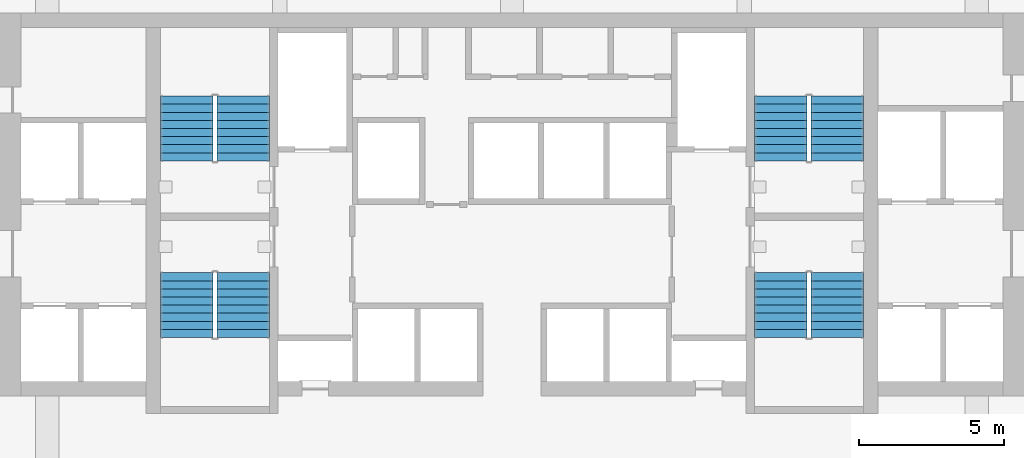
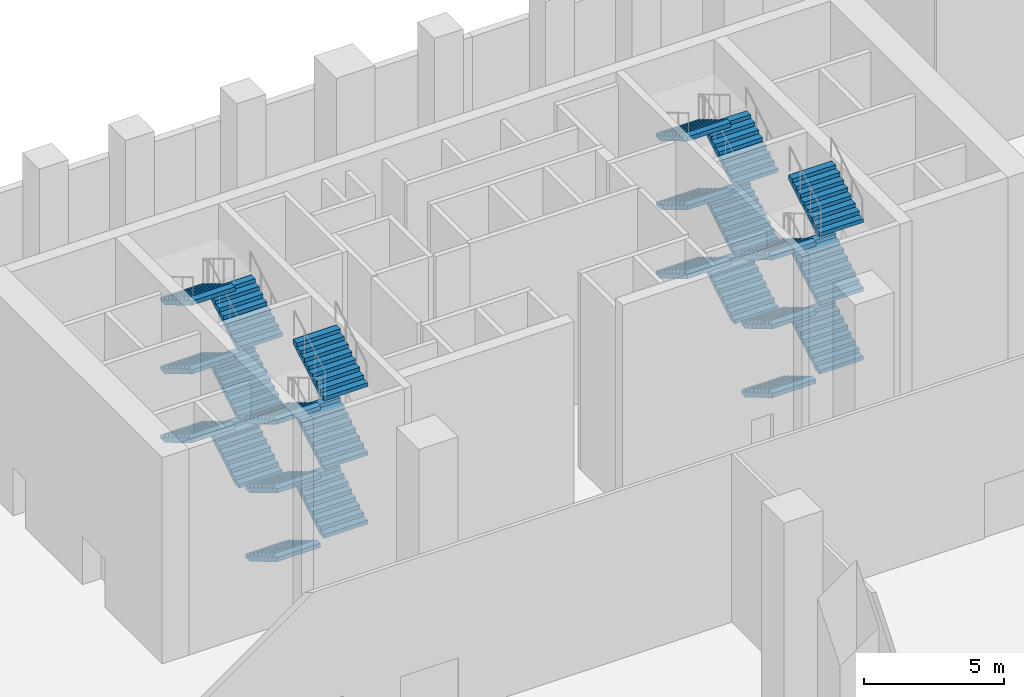
# One storey, part 14 of 25: 24 stair flights, 4 elements without a shape of their own.
"""IFC4 building model written with IfcOpenShell, lengths in metres."""

from ifc_helpers import new_model, si_unit, direction, frame, origin, place, context, subcontext, project, spatial, faceted_brep, source, transform, mapped, material, type_object, element, aggregate, save


model = new_model("IFC4")

# Units and contexts
model_context = context("Model", 3, precision=1e-05, world=origin(), true_north=direction((0.0, 1.0)))
body_context = subcontext(model_context, "Body", "Model", "MODEL_VIEW")
ifc_project = project(units=[si_unit("LENGTHUNIT", "METRE"), si_unit("AREAUNIT", "SQUARE_METRE"), si_unit("VOLUMEUNIT", "CUBIC_METRE"), si_unit("PLANEANGLEUNIT", "RADIAN"), si_unit("MASSUNIT", "GRAM", prefix="KILO")], contexts=[model_context])

# Site, building, storey
site_placement = place(None, origin())
site = spatial("IfcSite", under=ifc_project, at=site_placement, CompositionType="ELEMENT")
building_placement = place(site_placement, origin())
building = spatial("IfcBuilding", under=site, at=building_placement, Name="Calabash Gate Tower", CompositionType="ELEMENT")
storey_placement = place(building_placement, frame((0.0, 0.0, 20.0)))
storey = spatial("IfcBuildingStorey", under=building, at=storey_placement, Name="L02", CompositionType="ELEMENT", Elevation=20.0)

# Stair, stair flights
ifc_material_1 = material(Name="Concrete C40/50", Category="concrete")
stair_type = type_object("IfcStairType", Name="Exit stair 54 risers of 166.7 mm", PredefinedType="HALF_TURN_STAIR", material=ifc_material_1)
stair_1_placement = place(storey_placement, origin())
stair_1 = element("IfcStair", 1, at=stair_1_placement, inside=storey, type_object=stair_type, Name="L02 Exit stair ST1", PredefinedType="HALF_TURN_STAIR")
ifc_material_2 = material(Name="Concrete C40/50", Category="concrete")
stair_flight_type = type_object("IfcStairFlightType", Name="Exit stair flight SFL", PredefinedType="STRAIGHT", material=ifc_material_2)
shared_shape = source(origin(), body_context, "Body", "Brep", [
    faceted_brep([(-0.0009765625, -0.89990234375, 0.0), (0.292236328125, -0.89990234375, 0.0), (2.23291015625, -0.89990234375, 1.15869140625), (-0.0009765625, 0.89990234375, 0.0), (2.23291015625, 0.89990234375, 1.15869140625), (0.292236328125, 0.89990234375, 0.0), (2.23291015625, -0.89990234375, 1.34521484375), (2.23193359375, -0.89990234375, 1.34521484375), (2.23193359375, 0.89990234375, 1.34521484375), (2.23291015625, 0.89990234375, 1.34521484375), (2.23193359375, -0.89990234375, 1.333251953125), (2.23193359375, 0.89990234375, 1.333251953125), (1.952880859375, -0.89990234375, 1.333251953125), (1.952880859375, 0.89990234375, 1.333251953125), (1.952880859375, -0.89990234375, 1.166748046875), (1.952880859375, 0.89990234375, 1.166748046875), (1.674072265625, -0.89990234375, 1.166748046875), (1.674072265625, 0.89990234375, 1.166748046875), (1.674072265625, -0.89990234375, 1.0), (1.674072265625, 0.89990234375, 1.0), (1.39501953125, -0.89990234375, 1.0), (1.39501953125, -0.89990234375, 0.833251953125), (1.39501953125, 0.89990234375, 0.833251953125), (1.39501953125, 0.89990234375, 1.0), (1.115966796875, -0.89990234375, 0.833251953125), (1.115966796875, -0.89990234375, 0.666748046875), (1.115966796875, 0.89990234375, 0.666748046875), (1.115966796875, 0.89990234375, 0.833251953125), (0.8369140625, -0.89990234375, 0.666748046875), (0.8369140625, -0.89990234375, 0.5), (0.8369140625, 0.89990234375, 0.5), (0.8369140625, 0.89990234375, 0.666748046875), (0.55810546875, -0.89990234375, 0.5), (0.55810546875, -0.89990234375, 0.333251953125), (0.55810546875, 0.89990234375, 0.333251953125), (0.55810546875, 0.89990234375, 0.5), (0.279052734375, -0.89990234375, 0.333251953125), (0.279052734375, -0.89990234375, 0.166748046875), (0.279052734375, 0.89990234375, 0.166748046875), (0.279052734375, 0.89990234375, 0.333251953125), (-0.0009765625, -0.89990234375, 0.166748046875), (-0.0009765625, 0.89990234375, 0.166748046875), (0.292236328125, -0.360107421875, 0.0), (2.23291015625, -0.360107421875, 1.15869140625), (0.292236328125, -0.239990234375, 0.0), (2.23291015625, -0.239990234375, 1.15869140625), (0.292236328125, -0.1201171875, 0.0), (2.23291015625, -0.1201171875, 1.15869140625), (0.292236328125, 0.0, 0.0), (2.23291015625, 0.0, 1.15869140625), (0.292236328125, 0.1201171875, 0.0), (2.23291015625, 0.1201171875, 1.15869140625), (0.292236328125, 0.239990234375, 0.0), (2.23291015625, 0.239990234375, 1.15869140625), (0.292236328125, 0.360107421875, 0.0), (2.23291015625, 0.360107421875, 1.15869140625), (2.23291015625, -0.360107421875, 1.34521484375), (2.23291015625, -0.239990234375, 1.34521484375), (2.23291015625, -0.1201171875, 1.34521484375), (2.23291015625, 0.0, 1.34521484375), (2.23291015625, 0.1201171875, 1.34521484375), (2.23291015625, 0.239990234375, 1.34521484375), (2.23291015625, 0.360107421875, 1.34521484375), (2.23193359375, -0.360107421875, 1.34521484375), (2.23193359375, -0.239990234375, 1.34521484375), (2.23193359375, -0.1201171875, 1.34521484375), (2.23193359375, 0.0, 1.34521484375), (2.23193359375, 0.1201171875, 1.34521484375), (2.23193359375, 0.239990234375, 1.34521484375), (2.23193359375, 0.360107421875, 1.34521484375), (2.23193359375, -0.360107421875, 1.333251953125), (2.23193359375, -0.239990234375, 1.333251953125), (2.23193359375, -0.1201171875, 1.333251953125), (2.23193359375, 0.0, 1.333251953125), (2.23193359375, 0.1201171875, 1.333251953125), (2.23193359375, 0.239990234375, 1.333251953125), (2.23193359375, 0.360107421875, 1.333251953125), (1.952880859375, -0.360107421875, 1.333251953125), (1.952880859375, -0.239990234375, 1.333251953125), (1.952880859375, -0.1201171875, 1.333251953125), (1.952880859375, 0.0, 1.333251953125), (1.952880859375, 0.1201171875, 1.333251953125), (1.952880859375, 0.239990234375, 1.333251953125), (1.952880859375, 0.360107421875, 1.333251953125), (1.952880859375, -0.360107421875, 1.166748046875), (1.952880859375, -0.239990234375, 1.166748046875), (1.952880859375, -0.1201171875, 1.166748046875), (1.952880859375, 0.0, 1.166748046875), (1.952880859375, 0.1201171875, 1.166748046875), (1.952880859375, 0.239990234375, 1.166748046875), (1.952880859375, 0.360107421875, 1.166748046875), (1.674072265625, -0.360107421875, 1.166748046875), (1.674072265625, -0.239990234375, 1.166748046875), (1.674072265625, -0.1201171875, 1.166748046875), (1.674072265625, 0.0, 1.166748046875), (1.674072265625, 0.1201171875, 1.166748046875), (1.674072265625, 0.239990234375, 1.166748046875), (1.674072265625, 0.360107421875, 1.166748046875), (1.674072265625, -0.360107421875, 1.0), (1.674072265625, -0.239990234375, 1.0), (1.674072265625, -0.1201171875, 1.0), (1.674072265625, 0.0, 1.0), (1.674072265625, 0.1201171875, 1.0), (1.674072265625, 0.239990234375, 1.0), (1.674072265625, 0.360107421875, 1.0), (1.39501953125, -0.360107421875, 1.0), (1.39501953125, -0.239990234375, 1.0), (1.39501953125, -0.1201171875, 1.0), (1.39501953125, 0.0, 1.0), (1.39501953125, 0.1201171875, 1.0), (1.39501953125, 0.239990234375, 1.0), (1.39501953125, 0.360107421875, 1.0), (1.39501953125, -0.360107421875, 0.833251953125), (1.39501953125, -0.239990234375, 0.833251953125), (1.39501953125, -0.1201171875, 0.833251953125), (1.39501953125, 0.0, 0.833251953125), (1.39501953125, 0.1201171875, 0.833251953125), (1.39501953125, 0.239990234375, 0.833251953125), (1.39501953125, 0.360107421875, 0.833251953125), (1.115966796875, -0.360107421875, 0.833251953125), (1.115966796875, -0.239990234375, 0.833251953125), (1.115966796875, -0.1201171875, 0.833251953125), (1.115966796875, 0.0, 0.833251953125), (1.115966796875, 0.1201171875, 0.833251953125), (1.115966796875, 0.239990234375, 0.833251953125), (1.115966796875, 0.360107421875, 0.833251953125), (1.115966796875, -0.360107421875, 0.666748046875), (1.115966796875, -0.239990234375, 0.666748046875), (1.115966796875, -0.1201171875, 0.666748046875), (1.115966796875, 0.0, 0.666748046875), (1.115966796875, 0.1201171875, 0.666748046875), (1.115966796875, 0.239990234375, 0.666748046875), (1.115966796875, 0.360107421875, 0.666748046875), (0.8369140625, -0.360107421875, 0.666748046875), (0.8369140625, -0.239990234375, 0.666748046875), (0.8369140625, -0.1201171875, 0.666748046875), (0.8369140625, 0.0, 0.666748046875), (0.8369140625, 0.1201171875, 0.666748046875), (0.8369140625, 0.239990234375, 0.666748046875), (0.8369140625, 0.360107421875, 0.666748046875), (0.8369140625, -0.360107421875, 0.5), (0.8369140625, -0.239990234375, 0.5), (0.8369140625, -0.1201171875, 0.5), (0.8369140625, 0.0, 0.5), (0.8369140625, 0.1201171875, 0.5), (0.8369140625, 0.239990234375, 0.5), (0.8369140625, 0.360107421875, 0.5), (0.55810546875, -0.360107421875, 0.5), (0.55810546875, -0.239990234375, 0.5), (0.55810546875, -0.1201171875, 0.5), (0.55810546875, 0.0, 0.5), (0.55810546875, 0.1201171875, 0.5), (0.55810546875, 0.239990234375, 0.5), (0.55810546875, 0.360107421875, 0.5), (0.55810546875, -0.360107421875, 0.333251953125), (0.55810546875, -0.239990234375, 0.333251953125), (0.55810546875, -0.1201171875, 0.333251953125), (0.55810546875, 0.0, 0.333251953125), (0.55810546875, 0.1201171875, 0.333251953125), (0.55810546875, 0.239990234375, 0.333251953125), (0.55810546875, 0.360107421875, 0.333251953125), (0.279052734375, -0.360107421875, 0.333251953125), (0.279052734375, -0.239990234375, 0.333251953125), (0.279052734375, -0.1201171875, 0.333251953125), (0.279052734375, 0.0, 0.333251953125), (0.279052734375, 0.1201171875, 0.333251953125), (0.279052734375, 0.239990234375, 0.333251953125), (0.279052734375, 0.360107421875, 0.333251953125), (0.279052734375, -0.360107421875, 0.166748046875), (0.279052734375, -0.239990234375, 0.166748046875), (0.279052734375, -0.1201171875, 0.166748046875), (0.279052734375, 0.0, 0.166748046875), (0.279052734375, 0.1201171875, 0.166748046875), (0.279052734375, 0.239990234375, 0.166748046875), (0.279052734375, 0.360107421875, 0.166748046875), (-0.0009765625, -0.360107421875, 0.166748046875), (-0.0009765625, -0.239990234375, 0.166748046875), (-0.0009765625, -0.1201171875, 0.166748046875), (-0.0009765625, 0.0, 0.166748046875), (-0.0009765625, 0.1201171875, 0.166748046875), (-0.0009765625, 0.239990234375, 0.166748046875), (-0.0009765625, 0.360107421875, 0.166748046875), (-0.0009765625, -0.360107421875, 0.0), (-0.0009765625, -0.239990234375, 0.0), (-0.0009765625, -0.1201171875, 0.0), (-0.0009765625, 0.0, 0.0), (-0.0009765625, 0.1201171875, 0.0), (-0.0009765625, 0.239990234375, 0.0), (-0.0009765625, 0.360107421875, 0.0)], [[[0, 1, 2]], [[3, 4, 5]], [[2, 6, 7]], [[4, 8, 9]], [[2, 7, 10]], [[4, 11, 8]], [[2, 10, 12]], [[4, 13, 11]], [[2, 12, 14]], [[4, 15, 13]], [[2, 14, 16]], [[4, 17, 15]], [[2, 16, 18]], [[4, 19, 17]], [[18, 20, 21]], [[19, 22, 23]], [[2, 18, 21]], [[4, 22, 19]], [[21, 24, 25]], [[22, 26, 27]], [[2, 21, 25]], [[4, 26, 22]], [[25, 28, 29]], [[26, 30, 31]], [[2, 25, 29]], [[4, 30, 26]], [[29, 32, 33]], [[30, 34, 35]], [[2, 29, 33]], [[4, 34, 30]], [[33, 36, 37]], [[34, 38, 39]], [[2, 33, 37]], [[4, 38, 34]], [[0, 2, 37]], [[3, 38, 4]], [[37, 40, 0]], [[38, 3, 41]], [[1, 42, 2]], [[42, 43, 2]], [[42, 44, 43]], [[44, 45, 43]], [[44, 46, 45]], [[46, 47, 45]], [[46, 48, 47]], [[48, 49, 47]], [[48, 50, 51]], [[48, 51, 49]], [[50, 52, 53]], [[50, 53, 51]], [[52, 54, 55]], [[52, 55, 53]], [[54, 5, 4]], [[54, 4, 55]], [[2, 43, 6]], [[43, 56, 6]], [[43, 45, 56]], [[45, 57, 56]], [[45, 47, 57]], [[47, 58, 57]], [[47, 49, 58]], [[49, 59, 58]], [[49, 51, 60]], [[49, 60, 59]], [[51, 53, 61]], [[51, 61, 60]], [[53, 55, 62]], [[53, 62, 61]], [[55, 4, 9]], [[55, 9, 62]], [[6, 56, 7]], [[56, 63, 7]], [[56, 57, 63]], [[57, 64, 63]], [[57, 58, 64]], [[58, 65, 64]], [[58, 59, 65]], [[59, 66, 65]], [[59, 60, 67]], [[59, 67, 66]], [[60, 61, 68]], [[60, 68, 67]], [[61, 62, 69]], [[61, 69, 68]], [[62, 9, 8]], [[62, 8, 69]], [[7, 63, 10]], [[63, 70, 10]], [[63, 64, 70]], [[64, 71, 70]], [[64, 65, 71]], [[65, 72, 71]], [[65, 66, 72]], [[66, 73, 72]], [[66, 67, 74]], [[66, 74, 73]], [[67, 68, 75]], [[67, 75, 74]], [[68, 69, 76]], [[68, 76, 75]], [[69, 8, 11]], [[69, 11, 76]], [[10, 70, 12]], [[70, 77, 12]], [[70, 71, 77]], [[71, 78, 77]], [[71, 72, 78]], [[72, 79, 78]], [[72, 73, 79]], [[73, 80, 79]], [[73, 74, 81]], [[73, 81, 80]], [[74, 75, 82]], [[74, 82, 81]], [[75, 76, 83]], [[75, 83, 82]], [[76, 11, 13]], [[76, 13, 83]], [[12, 77, 14]], [[77, 84, 14]], [[77, 78, 84]], [[78, 85, 84]], [[78, 79, 85]], [[79, 86, 85]], [[79, 80, 86]], [[80, 87, 86]], [[80, 81, 88]], [[80, 88, 87]], [[81, 82, 89]], [[81, 89, 88]], [[82, 83, 90]], [[82, 90, 89]], [[83, 13, 15]], [[83, 15, 90]], [[14, 84, 16]], [[84, 91, 16]], [[84, 85, 91]], [[85, 92, 91]], [[85, 86, 92]], [[86, 93, 92]], [[86, 87, 93]], [[87, 94, 93]], [[87, 88, 95]], [[87, 95, 94]], [[88, 89, 96]], [[88, 96, 95]], [[89, 90, 97]], [[89, 97, 96]], [[90, 15, 17]], [[90, 17, 97]], [[16, 91, 18]], [[91, 98, 18]], [[91, 92, 98]], [[92, 99, 98]], [[92, 93, 99]], [[93, 100, 99]], [[93, 94, 100]], [[94, 101, 100]], [[94, 95, 102]], [[94, 102, 101]], [[95, 96, 103]], [[95, 103, 102]], [[96, 97, 104]], [[96, 104, 103]], [[97, 17, 19]], [[97, 19, 104]], [[18, 98, 20]], [[98, 105, 20]], [[98, 99, 105]], [[99, 106, 105]], [[99, 100, 106]], [[100, 107, 106]], [[100, 101, 107]], [[101, 108, 107]], [[101, 102, 109]], [[101, 109, 108]], [[102, 103, 110]], [[102, 110, 109]], [[103, 104, 111]], [[103, 111, 110]], [[104, 19, 23]], [[104, 23, 111]], [[20, 105, 21]], [[105, 112, 21]], [[105, 106, 112]], [[106, 113, 112]], [[106, 107, 113]], [[107, 114, 113]], [[107, 108, 114]], [[108, 115, 114]], [[108, 109, 116]], [[108, 116, 115]], [[109, 110, 117]], [[109, 117, 116]], [[110, 111, 118]], [[110, 118, 117]], [[111, 23, 22]], [[111, 22, 118]], [[21, 112, 24]], [[112, 119, 24]], [[112, 113, 119]], [[113, 120, 119]], [[113, 114, 120]], [[114, 121, 120]], [[114, 115, 121]], [[115, 122, 121]], [[115, 116, 123]], [[115, 123, 122]], [[116, 117, 124]], [[116, 124, 123]], [[117, 118, 125]], [[117, 125, 124]], [[118, 22, 27]], [[118, 27, 125]], [[24, 119, 25]], [[119, 126, 25]], [[119, 120, 126]], [[120, 127, 126]], [[120, 121, 127]], [[121, 128, 127]], [[121, 122, 128]], [[122, 129, 128]], [[122, 123, 130]], [[122, 130, 129]], [[123, 124, 131]], [[123, 131, 130]], [[124, 125, 132]], [[124, 132, 131]], [[125, 27, 26]], [[125, 26, 132]], [[25, 126, 28]], [[126, 133, 28]], [[126, 127, 133]], [[127, 134, 133]], [[127, 128, 134]], [[128, 135, 134]], [[128, 129, 135]], [[129, 136, 135]], [[129, 130, 137]], [[129, 137, 136]], [[130, 131, 138]], [[130, 138, 137]], [[131, 132, 139]], [[131, 139, 138]], [[132, 26, 31]], [[132, 31, 139]], [[28, 133, 29]], [[133, 140, 29]], [[133, 134, 140]], [[134, 141, 140]], [[134, 135, 141]], [[135, 142, 141]], [[135, 136, 142]], [[136, 143, 142]], [[136, 137, 144]], [[136, 144, 143]], [[137, 138, 145]], [[137, 145, 144]], [[138, 139, 146]], [[138, 146, 145]], [[139, 31, 30]], [[139, 30, 146]], [[29, 140, 32]], [[140, 147, 32]], [[140, 141, 147]], [[141, 148, 147]], [[141, 142, 148]], [[142, 149, 148]], [[142, 143, 149]], [[143, 150, 149]], [[143, 144, 151]], [[143, 151, 150]], [[144, 145, 152]], [[144, 152, 151]], [[145, 146, 153]], [[145, 153, 152]], [[146, 30, 35]], [[146, 35, 153]], [[32, 147, 33]], [[147, 154, 33]], [[147, 148, 154]], [[148, 155, 154]], [[148, 149, 155]], [[149, 156, 155]], [[149, 150, 156]], [[150, 157, 156]], [[150, 151, 158]], [[150, 158, 157]], [[151, 152, 159]], [[151, 159, 158]], [[152, 153, 160]], [[152, 160, 159]], [[153, 35, 34]], [[153, 34, 160]], [[33, 154, 36]], [[154, 161, 36]], [[154, 155, 161]], [[155, 162, 161]], [[155, 156, 162]], [[156, 163, 162]], [[156, 157, 163]], [[157, 164, 163]], [[157, 158, 165]], [[157, 165, 164]], [[158, 159, 166]], [[158, 166, 165]], [[159, 160, 167]], [[159, 167, 166]], [[160, 34, 39]], [[160, 39, 167]], [[36, 161, 37]], [[161, 168, 37]], [[161, 162, 168]], [[162, 169, 168]], [[162, 163, 169]], [[163, 170, 169]], [[163, 164, 170]], [[164, 171, 170]], [[164, 165, 172]], [[164, 172, 171]], [[165, 166, 173]], [[165, 173, 172]], [[166, 167, 174]], [[166, 174, 173]], [[167, 39, 38]], [[167, 38, 174]], [[37, 168, 40]], [[168, 175, 40]], [[168, 169, 175]], [[169, 176, 175]], [[169, 170, 176]], [[170, 177, 176]], [[170, 171, 177]], [[171, 178, 177]], [[171, 172, 179]], [[171, 179, 178]], [[172, 173, 180]], [[172, 180, 179]], [[173, 174, 181]], [[173, 181, 180]], [[174, 38, 41]], [[174, 41, 181]], [[40, 175, 0]], [[175, 182, 0]], [[175, 176, 182]], [[176, 183, 182]], [[176, 177, 183]], [[177, 184, 183]], [[177, 178, 184]], [[178, 185, 184]], [[178, 179, 186]], [[178, 186, 185]], [[179, 180, 187]], [[179, 187, 186]], [[180, 181, 188]], [[180, 188, 187]], [[181, 41, 3]], [[181, 3, 188]], [[0, 182, 1]], [[182, 42, 1]], [[182, 183, 42]], [[183, 44, 42]], [[183, 184, 44]], [[184, 46, 44]], [[184, 185, 46]], [[185, 48, 46]], [[185, 186, 50]], [[185, 50, 48]], [[186, 187, 52]], [[186, 52, 50]], [[187, 188, 54]], [[187, 54, 52]], [[188, 3, 5]], [[188, 5, 54]]]),
])
stair_flight_1_placement = place(storey_placement, frame((-9.25, 13.95263671875, 0.0), z_axis=(0.0, 0.0, 1.0), x_axis=(0.0, 1.0, 0.0)))
stair_flight_1 = element("IfcStairFlight", 2, at=stair_flight_1_placement, type_object=stair_flight_type, Name="ST1 flight 1", NumberOfRisers=9, NumberOfTreads=8, PredefinedType="STRAIGHT", RiserHeight=0.166666667, TreadLength=0.279, context=body_context, shape_type="MappedRepresentation", body=[
    mapped(shared_shape, transform((0.0, 0.0, 0.0), scale=1.0)),
])
stair_flight_2_placement = place(storey_placement, frame((-11.199951171875, 16.1845703125, 1.5), z_axis=(0.0, 0.0, 1.0), x_axis=(0.0, -1.0, 0.0)))
stair_flight_2 = element("IfcStairFlight", 3, at=stair_flight_2_placement, type_object=stair_flight_type, Name="ST1 flight 2", NumberOfRisers=9, NumberOfTreads=8, PredefinedType="STRAIGHT", RiserHeight=0.166666667, TreadLength=0.279, context=body_context, shape_type="MappedRepresentation", body=[
    mapped(shared_shape, transform((0.0, 0.0, 0.0), scale=1.0)),
])
stair_flight_3_placement = place(storey_placement, frame((-9.25, 13.95263671875, 3.0), z_axis=(0.0, 0.0, 1.0), x_axis=(0.0, 1.0, 0.0)))
stair_flight_3 = element("IfcStairFlight", 4, at=stair_flight_3_placement, type_object=stair_flight_type, Name="ST1 flight 3", NumberOfRisers=9, NumberOfTreads=8, PredefinedType="STRAIGHT", RiserHeight=0.166666667, TreadLength=0.279, context=body_context, shape_type="MappedRepresentation", body=[
    mapped(shared_shape, transform((0.0, 0.0, 0.0), scale=1.0)),
])
stair_flight_4_placement = place(storey_placement, frame((-11.199951171875, 16.1845703125, 4.5), z_axis=(0.0, 0.0, 1.0), x_axis=(0.0, -1.0, 0.0)))
stair_flight_4 = element("IfcStairFlight", 5, at=stair_flight_4_placement, type_object=stair_flight_type, Name="ST1 flight 4", NumberOfRisers=9, NumberOfTreads=8, PredefinedType="STRAIGHT", RiserHeight=0.166666667, TreadLength=0.279, context=body_context, shape_type="MappedRepresentation", body=[
    mapped(shared_shape, transform((0.0, 0.0, 0.0), scale=1.0)),
])
stair_flight_5_placement = place(storey_placement, frame((-9.25, 13.95263671875, 6.0), z_axis=(0.0, 0.0, 1.0), x_axis=(0.0, 1.0, 0.0)))
stair_flight_5 = element("IfcStairFlight", 6, at=stair_flight_5_placement, type_object=stair_flight_type, Name="ST1 flight 5", NumberOfRisers=9, NumberOfTreads=8, PredefinedType="STRAIGHT", RiserHeight=0.166666667, TreadLength=0.279, context=body_context, shape_type="MappedRepresentation", body=[
    mapped(shared_shape, transform((0.0, 0.0, 0.0), scale=1.0)),
])
stair_flight_6_placement = place(storey_placement, frame((-11.199951171875, 16.1845703125, 7.5), z_axis=(0.0, 0.0, 1.0), x_axis=(0.0, -1.0, 0.0)))
stair_flight_6 = element("IfcStairFlight", 7, at=stair_flight_6_placement, type_object=stair_flight_type, Name="ST1 flight 6", NumberOfRisers=9, NumberOfTreads=8, PredefinedType="STRAIGHT", RiserHeight=0.166666667, TreadLength=0.279, context=body_context, shape_type="MappedRepresentation", body=[
    mapped(shared_shape, transform((0.0, 0.0, 0.0), scale=1.0)),
])
aggregate(stair_1, [stair_flight_1, stair_flight_2, stair_flight_3, stair_flight_4, stair_flight_5, stair_flight_6])

stair_2_placement = place(storey_placement, origin())
stair_2 = element("IfcStair", 8, at=stair_2_placement, inside=storey, type_object=stair_type, Name="L02 Exit stair ST2", PredefinedType="HALF_TURN_STAIR")
stair_flight_7_placement = place(storey_placement, frame((-11.199951171875, 10.1025390625, 0.0), z_axis=(0.0, 0.0, 1.0), x_axis=(0.0, -1.0, 0.0)))
stair_flight_7 = element("IfcStairFlight", 9, at=stair_flight_7_placement, type_object=stair_flight_type, Name="ST2 flight 1", NumberOfRisers=9, NumberOfTreads=8, PredefinedType="STRAIGHT", RiserHeight=0.166666667, TreadLength=0.279, context=body_context, shape_type="MappedRepresentation", body=[
    mapped(shared_shape, transform((0.0, 0.0, 0.0), scale=1.0)),
])
stair_flight_8_placement = place(storey_placement, frame((-9.25, 7.87060546875, 1.5), z_axis=(0.0, 0.0, 1.0), x_axis=(0.0, 1.0, 0.0)))
stair_flight_8 = element("IfcStairFlight", 10, at=stair_flight_8_placement, type_object=stair_flight_type, Name="ST2 flight 2", NumberOfRisers=9, NumberOfTreads=8, PredefinedType="STRAIGHT", RiserHeight=0.166666667, TreadLength=0.279, context=body_context, shape_type="MappedRepresentation", body=[
    mapped(shared_shape, transform((0.0, 0.0, 0.0), scale=1.0)),
])
stair_flight_9_placement = place(storey_placement, frame((-11.199951171875, 10.1025390625, 3.0), z_axis=(0.0, 0.0, 1.0), x_axis=(0.0, -1.0, 0.0)))
stair_flight_9 = element("IfcStairFlight", 11, at=stair_flight_9_placement, type_object=stair_flight_type, Name="ST2 flight 3", NumberOfRisers=9, NumberOfTreads=8, PredefinedType="STRAIGHT", RiserHeight=0.166666667, TreadLength=0.279, context=body_context, shape_type="MappedRepresentation", body=[
    mapped(shared_shape, transform((0.0, 0.0, 0.0), scale=1.0)),
])
stair_flight_10_placement = place(storey_placement, frame((-9.25, 7.87060546875, 4.5), z_axis=(0.0, 0.0, 1.0), x_axis=(0.0, 1.0, 0.0)))
stair_flight_10 = element("IfcStairFlight", 12, at=stair_flight_10_placement, type_object=stair_flight_type, Name="ST2 flight 4", NumberOfRisers=9, NumberOfTreads=8, PredefinedType="STRAIGHT", RiserHeight=0.166666667, TreadLength=0.279, context=body_context, shape_type="MappedRepresentation", body=[
    mapped(shared_shape, transform((0.0, 0.0, 0.0), scale=1.0)),
])
stair_flight_11_placement = place(storey_placement, frame((-11.199951171875, 10.1025390625, 6.0), z_axis=(0.0, 0.0, 1.0), x_axis=(0.0, -1.0, 0.0)))
stair_flight_11 = element("IfcStairFlight", 13, at=stair_flight_11_placement, type_object=stair_flight_type, Name="ST2 flight 5", NumberOfRisers=9, NumberOfTreads=8, PredefinedType="STRAIGHT", RiserHeight=0.166666667, TreadLength=0.279, context=body_context, shape_type="MappedRepresentation", body=[
    mapped(shared_shape, transform((0.0, 0.0, 0.0), scale=1.0)),
])
stair_flight_12_placement = place(storey_placement, frame((-9.25, 7.87060546875, 7.5), z_axis=(0.0, 0.0, 1.0), x_axis=(0.0, 1.0, 0.0)))
stair_flight_12 = element("IfcStairFlight", 14, at=stair_flight_12_placement, type_object=stair_flight_type, Name="ST2 flight 6", NumberOfRisers=9, NumberOfTreads=8, PredefinedType="STRAIGHT", RiserHeight=0.166666667, TreadLength=0.279, context=body_context, shape_type="MappedRepresentation", body=[
    mapped(shared_shape, transform((0.0, 0.0, 0.0), scale=1.0)),
])
aggregate(stair_2, [stair_flight_7, stair_flight_8, stair_flight_9, stair_flight_10, stair_flight_11, stair_flight_12])

stair_3_placement = place(storey_placement, origin())
stair_3 = element("IfcStair", 15, at=stair_3_placement, inside=storey, type_object=stair_type, Name="L02 Exit stair ST3", PredefinedType="HALF_TURN_STAIR")
stair_flight_13_placement = place(storey_placement, frame((11.199951171875, 13.95263671875, 0.0), z_axis=(0.0, 0.0, 1.0), x_axis=(0.0, 1.0, 0.0)))
stair_flight_13 = element("IfcStairFlight", 16, at=stair_flight_13_placement, type_object=stair_flight_type, Name="ST3 flight 1", NumberOfRisers=9, NumberOfTreads=8, PredefinedType="STRAIGHT", RiserHeight=0.166666667, TreadLength=0.279, context=body_context, shape_type="MappedRepresentation", body=[
    mapped(shared_shape, transform((0.0, 0.0, 0.0), scale=1.0)),
])
stair_flight_14_placement = place(storey_placement, frame((9.25, 16.1845703125, 1.5), z_axis=(0.0, 0.0, 1.0), x_axis=(0.0, -1.0, 0.0)))
stair_flight_14 = element("IfcStairFlight", 17, at=stair_flight_14_placement, type_object=stair_flight_type, Name="ST3 flight 2", NumberOfRisers=9, NumberOfTreads=8, PredefinedType="STRAIGHT", RiserHeight=0.166666667, TreadLength=0.279, context=body_context, shape_type="MappedRepresentation", body=[
    mapped(shared_shape, transform((0.0, 0.0, 0.0), scale=1.0)),
])
stair_flight_15_placement = place(storey_placement, frame((11.199951171875, 13.95263671875, 3.0), z_axis=(0.0, 0.0, 1.0), x_axis=(0.0, 1.0, 0.0)))
stair_flight_15 = element("IfcStairFlight", 18, at=stair_flight_15_placement, type_object=stair_flight_type, Name="ST3 flight 3", NumberOfRisers=9, NumberOfTreads=8, PredefinedType="STRAIGHT", RiserHeight=0.166666667, TreadLength=0.279, context=body_context, shape_type="MappedRepresentation", body=[
    mapped(shared_shape, transform((0.0, 0.0, 0.0), scale=1.0)),
])
stair_flight_16_placement = place(storey_placement, frame((9.25, 16.1845703125, 4.5), z_axis=(0.0, 0.0, 1.0), x_axis=(0.0, -1.0, 0.0)))
stair_flight_16 = element("IfcStairFlight", 19, at=stair_flight_16_placement, type_object=stair_flight_type, Name="ST3 flight 4", NumberOfRisers=9, NumberOfTreads=8, PredefinedType="STRAIGHT", RiserHeight=0.166666667, TreadLength=0.279, context=body_context, shape_type="MappedRepresentation", body=[
    mapped(shared_shape, transform((0.0, 0.0, 0.0), scale=1.0)),
])
stair_flight_17_placement = place(storey_placement, frame((11.199951171875, 13.95263671875, 6.0), z_axis=(0.0, 0.0, 1.0), x_axis=(0.0, 1.0, 0.0)))
stair_flight_17 = element("IfcStairFlight", 20, at=stair_flight_17_placement, type_object=stair_flight_type, Name="ST3 flight 5", NumberOfRisers=9, NumberOfTreads=8, PredefinedType="STRAIGHT", RiserHeight=0.166666667, TreadLength=0.279, context=body_context, shape_type="MappedRepresentation", body=[
    mapped(shared_shape, transform((0.0, 0.0, 0.0), scale=1.0)),
])
stair_flight_18_placement = place(storey_placement, frame((9.25, 16.1845703125, 7.5), z_axis=(0.0, 0.0, 1.0), x_axis=(0.0, -1.0, 0.0)))
stair_flight_18 = element("IfcStairFlight", 21, at=stair_flight_18_placement, type_object=stair_flight_type, Name="ST3 flight 6", NumberOfRisers=9, NumberOfTreads=8, PredefinedType="STRAIGHT", RiserHeight=0.166666667, TreadLength=0.279, context=body_context, shape_type="MappedRepresentation", body=[
    mapped(shared_shape, transform((0.0, 0.0, 0.0), scale=1.0)),
])
aggregate(stair_3, [stair_flight_13, stair_flight_14, stair_flight_15, stair_flight_16, stair_flight_17, stair_flight_18])

stair_4_placement = place(storey_placement, origin())
stair_4 = element("IfcStair", 22, at=stair_4_placement, inside=storey, type_object=stair_type, Name="L02 Exit stair ST4", PredefinedType="HALF_TURN_STAIR")
stair_flight_19_placement = place(storey_placement, frame((9.25, 10.1025390625, 0.0), z_axis=(0.0, 0.0, 1.0), x_axis=(0.0, -1.0, 0.0)))
stair_flight_19 = element("IfcStairFlight", 23, at=stair_flight_19_placement, type_object=stair_flight_type, Name="ST4 flight 1", NumberOfRisers=9, NumberOfTreads=8, PredefinedType="STRAIGHT", RiserHeight=0.166666667, TreadLength=0.279, context=body_context, shape_type="MappedRepresentation", body=[
    mapped(shared_shape, transform((0.0, 0.0, 0.0), scale=1.0)),
])
stair_flight_20_placement = place(storey_placement, frame((11.199951171875, 7.87060546875, 1.5), z_axis=(0.0, 0.0, 1.0), x_axis=(0.0, 1.0, 0.0)))
stair_flight_20 = element("IfcStairFlight", 24, at=stair_flight_20_placement, type_object=stair_flight_type, Name="ST4 flight 2", NumberOfRisers=9, NumberOfTreads=8, PredefinedType="STRAIGHT", RiserHeight=0.166666667, TreadLength=0.279, context=body_context, shape_type="MappedRepresentation", body=[
    mapped(shared_shape, transform((0.0, 0.0, 0.0), scale=1.0)),
])
stair_flight_21_placement = place(storey_placement, frame((9.25, 10.1025390625, 3.0), z_axis=(0.0, 0.0, 1.0), x_axis=(0.0, -1.0, 0.0)))
stair_flight_21 = element("IfcStairFlight", 25, at=stair_flight_21_placement, type_object=stair_flight_type, Name="ST4 flight 3", NumberOfRisers=9, NumberOfTreads=8, PredefinedType="STRAIGHT", RiserHeight=0.166666667, TreadLength=0.279, context=body_context, shape_type="MappedRepresentation", body=[
    mapped(shared_shape, transform((0.0, 0.0, 0.0), scale=1.0)),
])
stair_flight_22_placement = place(storey_placement, frame((11.199951171875, 7.87060546875, 4.5), z_axis=(0.0, 0.0, 1.0), x_axis=(0.0, 1.0, 0.0)))
stair_flight_22 = element("IfcStairFlight", 26, at=stair_flight_22_placement, type_object=stair_flight_type, Name="ST4 flight 4", NumberOfRisers=9, NumberOfTreads=8, PredefinedType="STRAIGHT", RiserHeight=0.166666667, TreadLength=0.279, context=body_context, shape_type="MappedRepresentation", body=[
    mapped(shared_shape, transform((0.0, 0.0, 0.0), scale=1.0)),
])
stair_flight_23_placement = place(storey_placement, frame((9.25, 10.1025390625, 6.0), z_axis=(0.0, 0.0, 1.0), x_axis=(0.0, -1.0, 0.0)))
stair_flight_23 = element("IfcStairFlight", 27, at=stair_flight_23_placement, type_object=stair_flight_type, Name="ST4 flight 5", NumberOfRisers=9, NumberOfTreads=8, PredefinedType="STRAIGHT", RiserHeight=0.166666667, TreadLength=0.279, context=body_context, shape_type="MappedRepresentation", body=[
    mapped(shared_shape, transform((0.0, 0.0, 0.0), scale=1.0)),
])
stair_flight_24_placement = place(storey_placement, frame((11.199951171875, 7.87060546875, 7.5), z_axis=(0.0, 0.0, 1.0), x_axis=(0.0, 1.0, 0.0)))
stair_flight_24 = element("IfcStairFlight", 28, at=stair_flight_24_placement, type_object=stair_flight_type, Name="ST4 flight 6", NumberOfRisers=9, NumberOfTreads=8, PredefinedType="STRAIGHT", RiserHeight=0.166666667, TreadLength=0.279, context=body_context, shape_type="MappedRepresentation", body=[
    mapped(shared_shape, transform((0.0, 0.0, 0.0), scale=1.0)),
])
aggregate(stair_4, [stair_flight_19, stair_flight_20, stair_flight_21, stair_flight_22, stair_flight_23, stair_flight_24])

save(model, "model.ifc")
